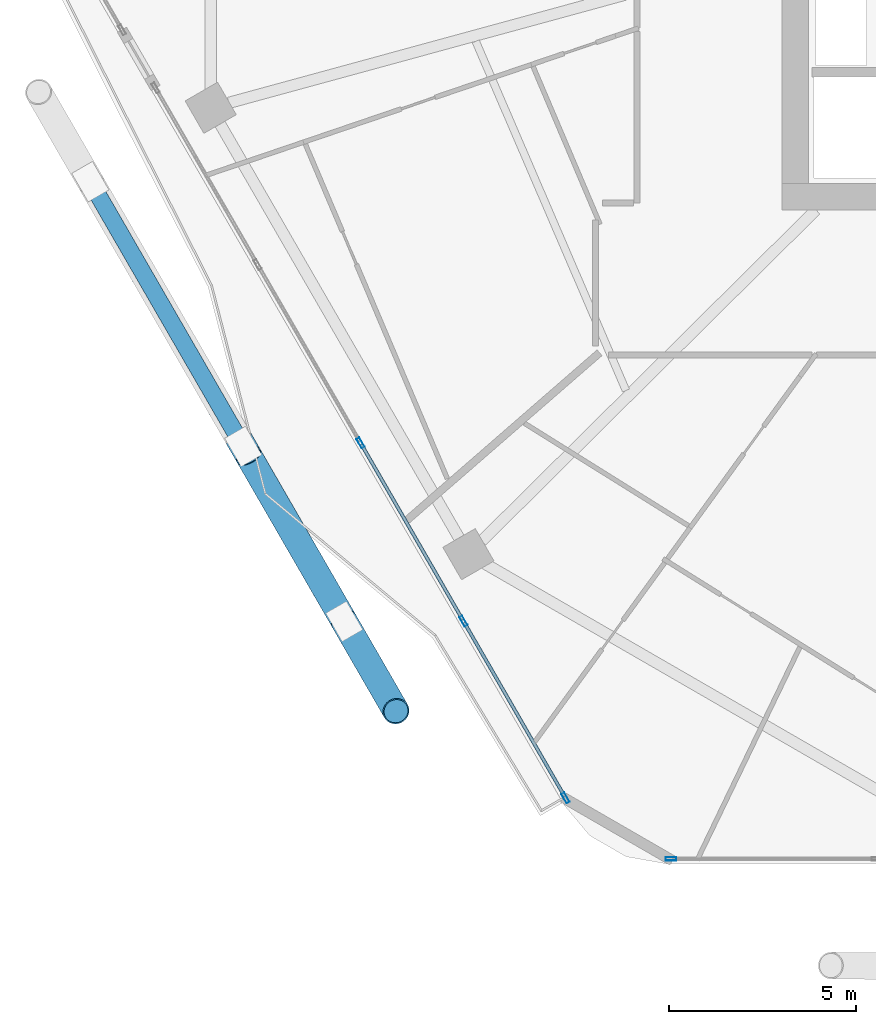
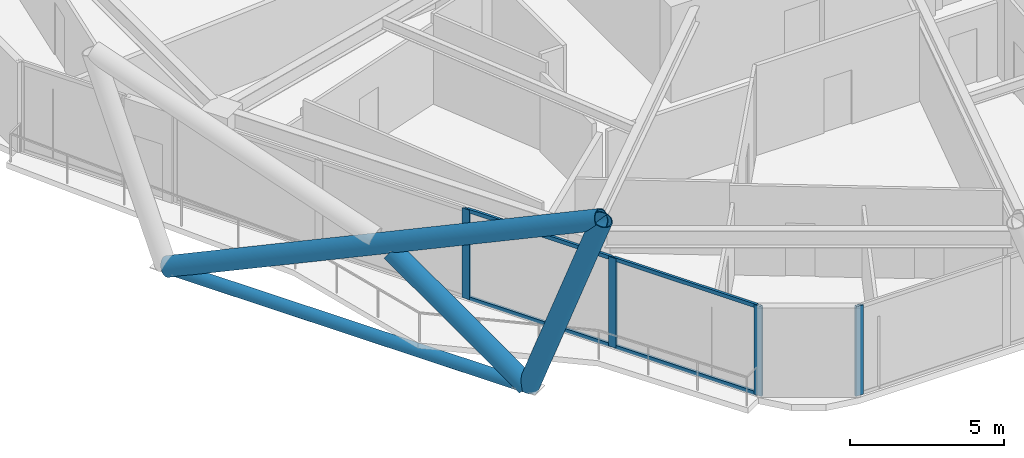
# One storey, part 2 of 28: 12 members, 2 elements without a shape of their own.
"""IFC4 building model written with IfcOpenShell, lengths in metres."""

from ifc_helpers import new_model, si_unit, direction, frame, origin, origin_2d, place, context, subcontext, project, spatial, hollow_rectangle, hollow_circle, extrude, material, material_profile, profile_set, type_object, element, aggregate, save


model = new_model("IFC4")

# Units and contexts
model_context = context("Model", 3, precision=1e-05, world=origin(), true_north=direction((0.0, 1.0)))
body_context = subcontext(model_context, "Body", "Model", "MODEL_VIEW")
ifc_project = project(units=[si_unit("LENGTHUNIT", "METRE"), si_unit("AREAUNIT", "SQUARE_METRE"), si_unit("VOLUMEUNIT", "CUBIC_METRE"), si_unit("PLANEANGLEUNIT", "RADIAN"), si_unit("MASSUNIT", "GRAM", prefix="KILO")], contexts=[model_context])

# Site, building, storey
site_placement = place(None, origin())
site = spatial("IfcSite", under=ifc_project, at=site_placement, CompositionType="ELEMENT")
building_placement = place(site_placement, origin())
building = spatial("IfcBuilding", under=site, at=building_placement, Name="Zuhravey Tower", CompositionType="ELEMENT")
storey_placement = place(building_placement, frame((0.0, 0.0, 169.39990234375)))
storey = spatial("IfcBuildingStorey", under=building, at=storey_placement, Name="L42", CompositionType="ELEMENT", Elevation=169.39990234375)

# Curtain wall, member
ifc_material_1 = material(Name="Thermally broken anodised aluminium", Category="aluminium")
curtain_wall_type = type_object("IfcCurtainWallType", Name="Zone 1-2 Residential Curtain Wall CW3", PredefinedType="NOTDEFINED", material=ifc_material_1)
curtain_wall_1_placement = place(storey_placement, origin())
curtain_wall_1 = element("IfcCurtainWall", 1, at=curtain_wall_1_placement, inside=storey, type_object=curtain_wall_type, Name="L42 CW3 CW-L42-F5-1", PredefinedType="NOTDEFINED")
ifc_material_2 = material(Name="Anodised aluminium", Category="aluminium")
ifc_material_profile_1 = material_profile(ifc_material_2, hollow_rectangle(XDim=0.090087890625, YDim=0.284912109375, WallThickness=0.0048828125, at=origin_2d()), Name="ALU-RHS-90x285x5")
ifc_profile_set_1 = profile_set([ifc_material_profile_1], Name="Anodised aluminium")
member_type_1 = type_object("IfcMemberType", Name="Curtain-Wall Mullion 90x180", PredefinedType="MULLION", material=ifc_profile_set_1)
member_1_placement = place(storey_placement, frame((22.183837890625, 4.81689453125, 0.0), z_axis=(0.0, 0.0, 1.0), x_axis=(0.0, -1.0, 0.0)))
member_1 = element("IfcMember", 2, at=member_1_placement, type_object=member_type_1, Name="CW3 mullion 6", PredefinedType="MULLION", context=body_context, shape_type="SweptSolid", body=[
    extrude(hollow_rectangle(XDim=0.090087890625, YDim=0.284912109375, WallThickness=0.0048828125, at=origin_2d()), origin(), (0.0, 0.0, 1.0), 3.550048828125),
])
aggregate(curtain_wall_1, [member_1])

# Curtain wall, members
curtain_wall_2_placement = place(storey_placement, origin())
curtain_wall_2 = element("IfcCurtainWall", 3, at=curtain_wall_2_placement, inside=storey, type_object=curtain_wall_type, Name="L42 CW3 CW-L42-F4-1", PredefinedType="NOTDEFINED")
member_2_placement = place(storey_placement, frame((19.36669921875, 6.443359375, 0.0), z_axis=(0.0, 0.0, 1.0), x_axis=(-0.866025234217, -0.500000293699, 0.0)))
member_2 = element("IfcMember", 4, at=member_2_placement, type_object=member_type_1, Name="CW3 mullion 1", PredefinedType="MULLION", context=body_context, shape_type="SweptSolid", body=[
    extrude(hollow_rectangle(XDim=0.090087890625, YDim=0.284912109375, WallThickness=0.0048828125, at=origin_2d()), origin(), (0.0, 0.0, 1.0), 3.550048828125),
])
member_3_placement = place(storey_placement, frame((16.64111328125, 11.164306640625, 0.0), z_axis=(0.0, 0.0, 1.0), x_axis=(-0.866025234217, -0.500000293699, 0.0)))
member_3 = element("IfcMember", 5, at=member_3_placement, type_object=member_type_1, Name="CW3 mullion 2", PredefinedType="MULLION", context=body_context, shape_type="SweptSolid", body=[
    extrude(hollow_rectangle(XDim=0.090087890625, YDim=0.284912109375, WallThickness=0.0048828125, at=origin_2d()), origin(), (0.0, 0.0, 1.0), 3.550048828125),
])
member_4_placement = place(storey_placement, frame((13.89306640625, 15.92431640625, 0.0), z_axis=(0.0, 0.0, 1.0), x_axis=(-0.866025234217, -0.500000293699, 0.0)))
member_4 = element("IfcMember", 6, at=member_4_placement, type_object=member_type_1, Name="CW3 mullion 3", PredefinedType="MULLION", context=body_context, shape_type="SweptSolid", body=[
    extrude(hollow_rectangle(XDim=0.090087890625, YDim=0.284912109375, WallThickness=0.0048828125, at=origin_2d()), origin(), (0.0, 0.0, 1.0), 3.550048828125),
])
ifc_material_profile_2 = material_profile(ifc_material_2, hollow_rectangle(XDim=0.090087890625, YDim=0.14990234375, WallThickness=0.0048828125, at=origin_2d()), Name="ALU-RHS-90x150x5")
ifc_profile_set_2 = profile_set([ifc_material_profile_2], Name="Anodised aluminium")
member_type_2 = type_object("IfcMemberType", Name="Curtain-Wall Transom 90x150", PredefinedType="USERDEFINED", material=ifc_profile_set_2)
member_5_placement = place(storey_placement, frame((19.34423828125, 6.482421875, 0.045166015625), z_axis=(-0.499998380488, 0.866026338808, 0.0), x_axis=(-0.866026338808, -0.499998380488, 0.0)))
member_5 = element("IfcMember", 7, at=member_5_placement, type_object=member_type_2, Name="CW3 transom 1.1", ObjectType="TRANSOM", PredefinedType="USERDEFINED", context=body_context, shape_type="SweptSolid", body=[
    extrude(hollow_rectangle(XDim=0.090087890625, YDim=0.14990234375, WallThickness=0.0048828125, at=origin_2d()), origin(), (0.0, 0.0, 1.0), 5.361328125),
])
member_6_placement = place(storey_placement, frame((19.34423828125, 6.482421875, 3.505126953125), z_axis=(-0.499998380488, 0.866026338808, 0.0), x_axis=(-0.866026338808, -0.499998380488, 0.0)))
member_6 = element("IfcMember", 8, at=member_6_placement, type_object=member_type_2, Name="CW3 transom 1.2", ObjectType="TRANSOM", PredefinedType="USERDEFINED", context=body_context, shape_type="SweptSolid", body=[
    extrude(hollow_rectangle(XDim=0.090087890625, YDim=0.14990234375, WallThickness=0.0048828125, at=origin_2d()), origin(), (0.0, 0.0, 1.0), 5.361328125),
])
member_7_placement = place(storey_placement, frame((16.61865234375, 11.203369140625, 0.045166015625), z_axis=(-0.499985657998, 0.866033683985, 0.0), x_axis=(-0.866033683985, -0.499985657998, 0.0)))
member_7 = element("IfcMember", 9, at=member_7_placement, type_object=member_type_2, Name="CW3 transom 2.1", ObjectType="TRANSOM", PredefinedType="USERDEFINED", context=body_context, shape_type="SweptSolid", body=[
    extrude(hollow_rectangle(XDim=0.090087890625, YDim=0.14990234375, WallThickness=0.0048828125, at=origin_2d()), origin(), (0.0, 0.0, 1.0), 5.406494140625),
])
member_8_placement = place(storey_placement, frame((16.61865234375, 11.203369140625, 3.505126953125), z_axis=(-0.499985657998, 0.866033683985, 0.0), x_axis=(-0.866033683985, -0.499985657998, 0.0)))
member_8 = element("IfcMember", 10, at=member_8_placement, type_object=member_type_2, Name="CW3 transom 2.2", ObjectType="TRANSOM", PredefinedType="USERDEFINED", context=body_context, shape_type="SweptSolid", body=[
    extrude(hollow_rectangle(XDim=0.090087890625, YDim=0.14990234375, WallThickness=0.0048828125, at=origin_2d()), origin(), (0.0, 0.0, 1.0), 5.406494140625),
])
aggregate(curtain_wall_2, [member_2, member_3, member_4, member_5, member_6, member_7, member_8])

# Members
ifc_material_3 = material(Name="Steel SM355", Category="steel")
ifc_material_profile_3 = material_profile(ifc_material_3, hollow_circle(Radius=0.228515625, WallThickness=0.02197265625, at=origin_2d()), Name="CHS-457.2x22")
ifc_profile_set_3 = profile_set([ifc_material_profile_3], Name="Steel SM355")
member_type_3 = type_object("IfcMemberType", Name="Exoskeleton Ring Tie CHS457x22", PredefinedType="CHORD", material=ifc_profile_set_3)
member_9_placement = place(storey_placement, frame((6.748046875, 22.779541015625, -0.4638671875), z_axis=(0.500004091344, -0.866023041633, 0.0), x_axis=(0.866023041633, 0.500004091344, 0.0)))
element("IfcMember", 11, at=member_9_placement, inside=storey, type_object=member_type_3, Name="L42 Exoskeleton Face 4 Tie EXR1", PredefinedType="CHORD", context=body_context, shape_type="SweptSolid", body=[
    extrude(hollow_circle(Radius=0.228515625, WallThickness=0.02197265625, at=origin_2d()), origin(), (0.0, 0.0, 1.0), 13.28173828125),
])
ifc_material_4 = material(Name="Steel SM460", Category="steel")
ifc_material_profile_4 = material_profile(ifc_material_4, hollow_circle(Radius=0.355712890625, WallThickness=0.031982421875, at=origin_2d()), Name="CHS-711.2x32")
ifc_profile_set_4 = profile_set([ifc_material_profile_4], Name="Steel SM460")
member_type_4 = type_object("IfcMemberType", Name="Exoskeleton Zone 2 Diagrid CHS711x32", PredefinedType="BRACE", material=ifc_profile_set_4)
member_10_placement = place(storey_placement, frame((6.699462890625, 22.86376953125, -0.44384765625), z_axis=(0.453338388553, -0.785209877744, 0.421817203724), x_axis=(0.866026715089, 0.499997728747, 0.0)))
element("IfcMember", 12, at=member_10_placement, inside=storey, type_object=member_type_4, Name="L42 Face 4 Diagrid Brace 2", PredefinedType="BRACE", context=body_context, shape_type="SweptSolid", body=[
    extrude(hollow_circle(Radius=0.355712890625, WallThickness=0.031982421875, at=origin_2d()), origin(), (0.0, 0.0, 1.0), 17.922607421875),
])
member_11_placement = place(storey_placement, frame((13.462646484375, 11.149658203125, -0.44384765625), z_axis=(0.171428917165, -0.296929081792, 0.939385568734), x_axis=(0.866029404905, 0.499993069792, 0.0)))
element("IfcMember", 13, at=member_11_placement, inside=storey, type_object=member_type_4, Name="L42 Face 4 Diagrid Brace 4", PredefinedType="BRACE", context=body_context, shape_type="SweptSolid", body=[
    extrude(hollow_circle(Radius=0.355712890625, WallThickness=0.031982421875, at=origin_2d()), origin(), (0.0, 0.0, 1.0), 8.0478515625),
])
member_12_placement = place(storey_placement, frame((13.439697265625, 11.189453125, -0.4365234375), z_axis=(-0.408754040359, 0.707971912813, 0.575930469032), x_axis=(-0.866022084834, -0.500005748546, 0.0)))
element("IfcMember", 14, at=member_12_placement, inside=storey, type_object=member_type_4, Name="L42 Face 4 Split Diagrid Brace 3A", PredefinedType="BRACE", context=body_context, shape_type="SweptSolid", body=[
    extrude(hollow_circle(Radius=0.355712890625, WallThickness=0.031982421875, at=origin_2d()), origin(), (0.0, 0.0, 1.0), 6.205078125),
])

save(model, "model.ifc")
